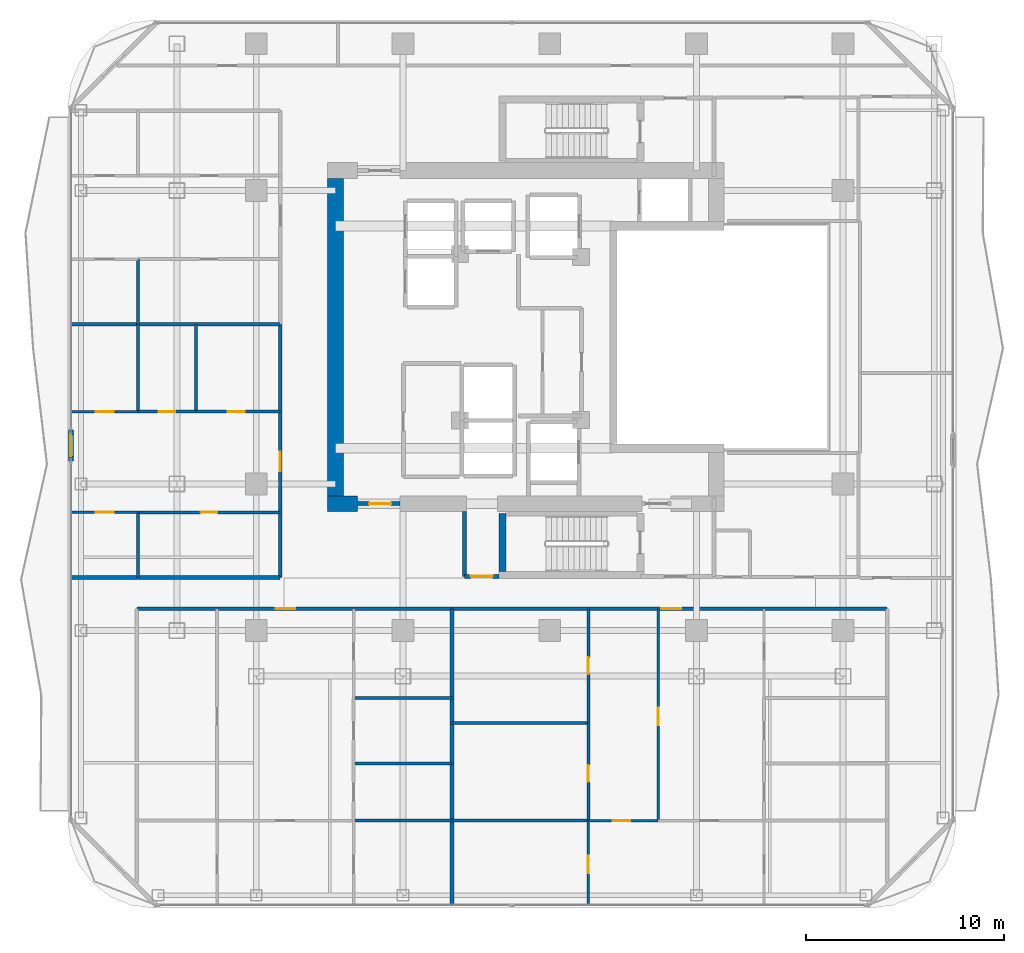
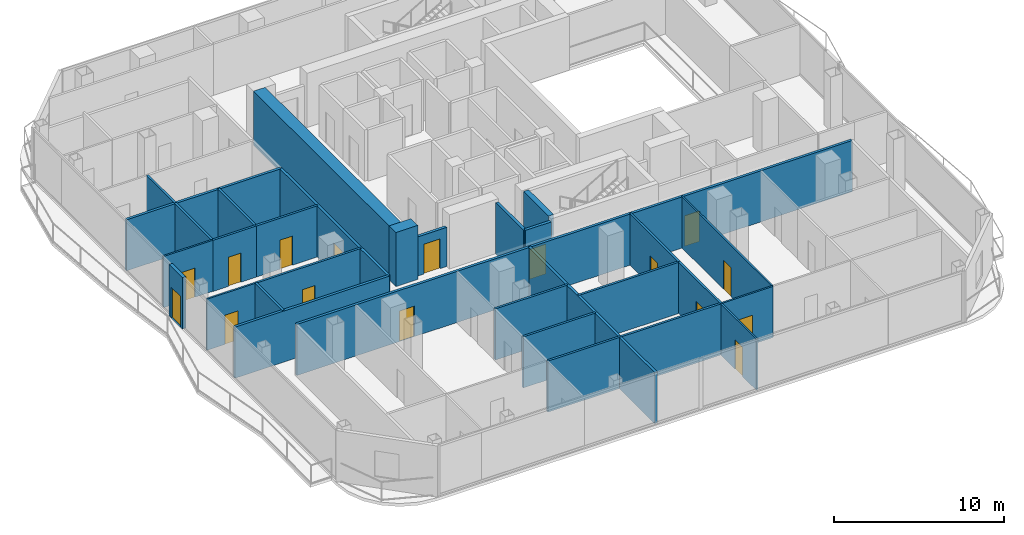
# One storey, part 17 of 23: 32 walls, 16 doors, 16 openings.
"""IFC4 building model written with IfcOpenShell, lengths in metres."""

from ifc_helpers import new_model, si_unit, direction, frame, frame_2d, origin, place, context, subcontext, project, spatial, rectangle, extrude, material, layer, layer_set, type_object, element, fill, save


model = new_model("IFC4")

# Units and contexts
model_context = context("Model", 3, precision=1e-05, world=origin(), true_north=direction((0.0, 1.0)))
body_context = subcontext(model_context, "Body", "Model", "MODEL_VIEW")
ifc_project = project(units=[si_unit("LENGTHUNIT", "METRE"), si_unit("AREAUNIT", "SQUARE_METRE"), si_unit("VOLUMEUNIT", "CUBIC_METRE"), si_unit("PLANEANGLEUNIT", "RADIAN"), si_unit("MASSUNIT", "GRAM", prefix="KILO")], contexts=[model_context])

# Site, building, storey
site_placement = place(None, origin())
site = spatial("IfcSite", under=ifc_project, at=site_placement, CompositionType="ELEMENT")
building_placement = place(site_placement, origin())
building = spatial("IfcBuilding", under=site, at=building_placement, Name="Khorvyn Point Tower", CompositionType="ELEMENT")
storey_placement = place(building_placement, frame((0.0, 0.0, 199.199951171875)))
storey = spatial("IfcBuildingStorey", under=building, at=storey_placement, Name="L49", CompositionType="ELEMENT", Elevation=199.199951171875)

# Wall, opening, door
ifc_material_1 = material(Name="Double acoustic gypsum on twin steel stud", Category="steel")
ifc_layer_1 = layer(ifc_material_1, 0.179931640625)
ifc_layer_set_1 = layer_set([ifc_layer_1], Name="Acoustic Double-Stud Apartment Demising Wall 180")
wall_type_1 = type_object("IfcWallType", Name="Acoustic Double-Stud Apartment Demising Wall 180", PredefinedType="PARTITIONING", material=ifc_layer_set_1)
wall_1_placement = place(storey_placement, frame((-20.820068359375, -13.699951171875, 0.0), z_axis=(0.0, 0.0, 1.0), x_axis=(1.0, 0.0, 0.0)))
wall_1 = element("IfcWall", 1, at=wall_1_placement, inside=storey, type_object=wall_type_1, Name="Wall", PredefinedType="PARTITIONING", context=body_context, shape_type="SweptSolid", body=[
    extrude(rectangle(XDim=15.89306640625, YDim=0.179931640625, at=frame_2d((7.946533203125, 0.0))), origin(), (0.0, 0.0, 1.0), 3.679931640625),
])
opening_1_placement = place(wall_1_placement, frame((6.99658203125, 0.0, 0.0)))
opening_1 = element("IfcOpeningElement", 2, at=opening_1_placement, cuts=wall_1, Name="Opening ID-AP60", PredefinedType="OPENING", context=body_context, shape_type="SweptSolid", body=[
    extrude(rectangle(XDim=1.0, YDim=2.199951171875, at=frame_2d((0.5, 1.10009765625))), frame((0.0, 0.099853515625, 0.0), z_axis=(0.0, -1.0, 0.0), x_axis=(1.0, 0.0, 0.0)), (0.0, 0.0, 1.0), 0.199951171875),
])
ifc_material_2 = material(Name="Engineered hardwood fire-rated leaf", Category="wood")
door_type_1 = type_object("IfcDoorType", Name="Acoustic Solid-Core Timber Apartment Entrance Door 1000x2200", OperationType="NOTDEFINED", PredefinedType="DOOR", material=ifc_material_2)
door_1_placement = place(opening_1_placement, origin())
door_1 = element("IfcDoor", 3, at=door_1_placement, inside=storey, type_object=door_type_1, Name="Door", OperationType="SINGLE_SWING_LEFT", OverallHeight=2.199951171875, OverallWidth=1.0, PredefinedType="DOOR", context=body_context, shape_type="SweptSolid", body=[
    extrude(rectangle(XDim=1.0, YDim=2.199951171875, at=frame_2d((0.5, 1.10009765625))), frame((0.0, 0.02490234375, 0.0), z_axis=(0.0, -1.0, 0.0), x_axis=(1.0, 0.0, 0.0)), (0.0, 0.0, 1.0), 0.050048828125),
])
fill(opening_1, door_1)

wall_2_placement = place(storey_placement, frame((-4.927001953125, -13.699951171875, 0.0), z_axis=(0.0, 0.0, 1.0), x_axis=(1.0, 0.0, 0.0)))
wall_2 = element("IfcWall", 4, at=wall_2_placement, inside=storey, type_object=wall_type_1, Name="Wall", PredefinedType="PARTITIONING", context=body_context, shape_type="SweptSolid", body=[
    extrude(rectangle(XDim=21.947021484375, YDim=0.179931640625, at=frame_2d((10.9736328125, 0.0))), origin(), (0.0, 0.0, 1.0), 3.679931640625),
])
opening_2_placement = place(wall_2_placement, frame((10.563232421875, 0.0, 0.0)))
opening_2 = element("IfcOpeningElement", 5, at=opening_2_placement, cuts=wall_2, Name="Opening ID-AP60", PredefinedType="OPENING", context=body_context, shape_type="SweptSolid", body=[
    extrude(rectangle(XDim=1.0, YDim=2.199951171875, at=frame_2d((0.5, 1.10009765625))), frame((0.0, 0.099853515625, 0.0), z_axis=(0.0, -1.0, 0.0), x_axis=(1.0, 0.0, 0.0)), (0.0, 0.0, 1.0), 0.199951171875),
])
door_2_placement = place(opening_2_placement, origin())
door_2 = element("IfcDoor", 6, at=door_2_placement, inside=storey, type_object=door_type_1, Name="Door", OperationType="SINGLE_SWING_LEFT", OverallHeight=2.199951171875, OverallWidth=1.0, PredefinedType="DOOR", context=body_context, shape_type="SweptSolid", body=[
    extrude(rectangle(XDim=1.0, YDim=2.199951171875, at=frame_2d((0.5, 1.10009765625))), frame((0.0, 0.02490234375, 0.0), z_axis=(0.0, -1.0, 0.0), x_axis=(1.0, 0.0, 0.0)), (0.0, 0.0, 1.0), 0.050048828125),
])
fill(opening_2, door_2)

wall_3_placement = place(storey_placement, frame((-13.60009765625, -12.1201171875, 0.0), z_axis=(0.0, 0.0, 1.0), x_axis=(0.0, 1.0, 0.0)))
wall_3 = element("IfcWall", 7, at=wall_3_placement, inside=storey, type_object=wall_type_1, Name="Wall", PredefinedType="PARTITIONING", context=body_context, shape_type="SweptSolid", body=[
    extrude(rectangle(XDim=12.76416015625, YDim=0.179931640625, at=frame_2d((6.382080078125, 0.0))), origin(), (0.0, 0.0, 1.0), 3.679931640625),
])
opening_3_placement = place(wall_3_placement, frame((5.345703125, 0.0, 0.0)))
opening_3 = element("IfcOpeningElement", 8, at=opening_3_placement, cuts=wall_3, Name="Opening ID-AP60", PredefinedType="OPENING", context=body_context, shape_type="SweptSolid", body=[
    extrude(rectangle(XDim=1.0, YDim=2.199951171875, at=frame_2d((0.5, 1.10009765625))), frame((0.0, 0.099853515625, 0.0), z_axis=(0.0, -1.0, 0.0), x_axis=(1.0, 0.0, 0.0)), (0.0, 0.0, 1.0), 0.199951171875),
])
door_3_placement = place(opening_3_placement, origin())
door_3 = element("IfcDoor", 9, at=door_3_placement, inside=storey, type_object=door_type_1, Name="Door", OperationType="SINGLE_SWING_RIGHT", OverallHeight=2.199951171875, OverallWidth=1.0, PredefinedType="DOOR", context=body_context, shape_type="SweptSolid", body=[
    extrude(rectangle(XDim=1.0, YDim=2.199951171875, at=frame_2d((0.5, 1.10009765625))), frame((0.0, 0.02490234375, 0.0), z_axis=(0.0, -1.0, 0.0), x_axis=(1.0, 0.0, 0.0)), (0.0, 0.0, 1.0), 0.050048828125),
])
fill(opening_3, door_3)

# Walls
wall_4_placement = place(storey_placement, frame((-4.927001953125, -28.6298828125, 0.0), z_axis=(0.0, 0.0, 1.0), x_axis=(0.0, 1.0, 0.0)))
element("IfcWall", 10, at=wall_4_placement, inside=storey, type_object=wall_type_1, Name="Wall", PredefinedType="PARTITIONING", context=body_context, shape_type="SweptSolid", body=[
    extrude(rectangle(XDim=14.929931640625, YDim=0.179931640625, at=frame_2d((7.46484375, 0.0))), origin(), (0.0, 0.0, 1.0), 3.679931640625),
])
for number, where, z_axis, x_axis, name in (
    (11, (-24.1298828125, 0.64404296875, 0.0), (0.0, 0.0, 1.0), (1.0, 0.0, 0.0), "Wall"),
    (12, (-24.1298828125, -12.1201171875, 0.0), (0.0, 0.0, 1.0), (1.0, 0.0, 0.0), "Wall"),
):
    element("IfcWall", number, at=place(storey_placement, frame(where, z_axis=z_axis, x_axis=x_axis)), inside=storey, type_object=wall_type_1, Name=name, PredefinedType="PARTITIONING", context=body_context, shape_type="SweptSolid", body=[
        extrude(rectangle(XDim=10.52978515625, YDim=0.179931640625, at=frame_2d((5.264892578125, 0.0))), origin(), (0.0, 0.0, 1.0), 3.679931640625),
    ])

# Wall, opening, door
ifc_material_3 = material(Name="Pale anodised aluminium rainscreen on steel stud", Category="steel")
ifc_layer_2 = layer(ifc_material_3, 0.239990234375)
ifc_layer_set_2 = layer_set([ifc_layer_2], Name="Anodised Aluminium Insulated Corner Spandrel Wall 240")
wall_type_2 = type_object("IfcWallType", Name="Anodised Aluminium Insulated Corner Spandrel Wall 240", PredefinedType="SOLIDWALL", material=ifc_layer_set_2)
wall_5_placement = place(storey_placement, frame((-24.14990234375, -6.25390625, 0.0), z_axis=(0.0, 0.0, 1.0), x_axis=(0.0, 1.0, 0.0)))
wall_5 = element("IfcWall", 13, at=wall_5_placement, inside=storey, type_object=wall_type_2, Name="L49 West Outdoor Threshold Wall", PredefinedType="SOLIDWALL", context=body_context, shape_type="SweptSolid", body=[
    extrude(rectangle(XDim=1.579833984375, YDim=0.239990234375, at=frame_2d((0.7900390625, 0.0))), origin(), (0.0, 0.0, 1.0), 3.679931640625),
])
opening_4_placement = place(wall_5_placement, frame((0.239990234375, 0.0, 0.0)))
opening_4 = element("IfcOpeningElement", 14, at=opening_4_placement, cuts=wall_5, Name="Opening BD-1122", PredefinedType="OPENING", context=body_context, shape_type="SweptSolid", body=[
    extrude(rectangle(XDim=1.10009765625, YDim=2.199951171875, at=frame_2d((0.550048828125, 1.10009765625))), frame((0.0, 0.1298828125, 0.0), z_axis=(0.0, -1.0, 0.0), x_axis=(1.0, 0.0, 0.0)), (0.0, 0.0, 1.0), 0.260009765625),
])
ifc_material_4 = material(Name="Anodised aluminium 6063-T6 and laminated Low-E glass", Category="aluminium")
door_type_2 = type_object("IfcDoorType", Name="Glazed Balcony and Terrace Threshold Door 1100x2200", OperationType="NOTDEFINED", PredefinedType="DOOR", material=ifc_material_4)
door_4_placement = place(opening_4_placement, origin())
door_4 = element("IfcDoor", 15, at=door_4_placement, inside=storey, type_object=door_type_2, Name="L49 West Glazed Balcony Outdoor Door", OperationType="SINGLE_SWING_RIGHT", OverallHeight=2.199951171875, OverallWidth=1.10009765625, PredefinedType="DOOR", context=body_context, shape_type="SweptSolid", body=[
    extrude(rectangle(XDim=1.10009765625, YDim=2.199951171875, at=frame_2d((0.550048828125, 1.10009765625))), frame((0.0, 0.02490234375, 0.0), z_axis=(0.0, -1.0, 0.0), x_axis=(1.0, 0.0, 0.0)), (0.0, 0.0, 1.0), 0.050048828125),
])
fill(opening_4, door_4)

ifc_material_5 = material(Name="Concrete C40/50", Category="concrete")
ifc_layer_3 = layer(ifc_material_5, 0.199951171875)
ifc_layer_set_3 = layer_set([ifc_layer_3], Name="Concrete C40/50 Fire-Lobby Compartment Wall 200")
wall_type_3 = type_object("IfcWallType", Name="Concrete C40/50 Fire-Lobby Compartment Wall 200", PredefinedType="SOLIDWALL", material=ifc_layer_set_3)
wall_6_placement = place(storey_placement, frame((-9.699951171875, -8.39990234375, 0.0), z_axis=(0.0, 0.0, 1.0), x_axis=(1.0, 0.0, 0.0)))
wall_6 = element("IfcWall", 16, at=wall_6_placement, inside=storey, type_object=wall_type_3, Name="Wall", PredefinedType="SOLIDWALL", context=body_context, shape_type="SweptSolid", body=[
    extrude(rectangle(XDim=2.14990234375, YDim=0.199951171875, at=frame_2d((1.074951171875, 0.0))), origin(), (0.0, 0.0, 1.0), 2.820068359375),
])
opening_5_placement = place(wall_6_placement, frame((0.597900390625, 0.0, 0.0)))
opening_5 = element("IfcOpeningElement", 17, at=opening_5_placement, cuts=wall_6, Name="Opening ID-FL90", PredefinedType="OPENING", context=body_context, shape_type="SweptSolid", body=[
    extrude(rectangle(XDim=1.10009765625, YDim=2.14990234375, at=frame_2d((0.550048828125, 1.074951171875))), frame((0.0, 0.10986328125, 0.0), z_axis=(0.0, -1.0, 0.0), x_axis=(1.0, 0.0, 0.0)), (0.0, 0.0, 1.0), 0.219970703125),
])
ifc_material_6 = material(Name="Galvanised powder-coated steel", Category="steel")
door_type_3 = type_object("IfcDoorType", Name="Fire-Rated Steel Lobby and Stair Door 1100x2150", OperationType="NOTDEFINED", PredefinedType="DOOR", material=ifc_material_6)
door_5_placement = place(opening_5_placement, origin())
door_5 = element("IfcDoor", 18, at=door_5_placement, inside=storey, type_object=door_type_3, Name="Door", OperationType="SINGLE_SWING_RIGHT", OverallHeight=2.14990234375, OverallWidth=1.10009765625, PredefinedType="DOOR", context=body_context, shape_type="SweptSolid", body=[
    extrude(rectangle(XDim=1.10009765625, YDim=2.14990234375, at=frame_2d((0.550048828125, 1.074951171875))), frame((0.0, 0.02490234375, 0.0), z_axis=(0.0, -1.0, 0.0), x_axis=(1.0, 0.0, 0.0)), (0.0, 0.0, 1.0), 0.050048828125),
])
fill(opening_5, door_5)

wall_7_placement = place(storey_placement, frame((-4.300048828125, -12.06005859375, 0.0), z_axis=(0.0, 0.0, 1.0), x_axis=(1.0, 0.0, 0.0)))
wall_7 = element("IfcWall", 19, at=wall_7_placement, inside=storey, type_object=wall_type_3, Name="Wall", PredefinedType="SOLIDWALL", context=body_context, shape_type="SweptSolid", body=[
    extrude(rectangle(XDim=1.75, YDim=0.199951171875, at=frame_2d((0.875, 0.0))), origin(), (0.0, 0.0, 1.0), 3.679931640625),
])
opening_6_placement = place(wall_7_placement, frame((0.324951171875, 0.0, 0.0)))
opening_6 = element("IfcOpeningElement", 20, at=opening_6_placement, cuts=wall_7, Name="Opening ID-FL90", PredefinedType="OPENING", context=body_context, shape_type="SweptSolid", body=[
    extrude(rectangle(XDim=1.10009765625, YDim=2.14990234375, at=frame_2d((0.550048828125, 1.074951171875))), frame((0.0, 0.10986328125, 0.0), z_axis=(0.0, -1.0, 0.0), x_axis=(1.0, 0.0, 0.0)), (0.0, 0.0, 1.0), 0.219970703125),
])
door_6_placement = place(opening_6_placement, origin())
door_6 = element("IfcDoor", 21, at=door_6_placement, inside=storey, type_object=door_type_3, Name="Door", OperationType="SINGLE_SWING_RIGHT", OverallHeight=2.14990234375, OverallWidth=1.10009765625, PredefinedType="DOOR", context=body_context, shape_type="SweptSolid", body=[
    extrude(rectangle(XDim=1.10009765625, YDim=2.14990234375, at=frame_2d((0.550048828125, 1.074951171875))), frame((0.0, 0.02490234375, 0.0), z_axis=(0.0, -1.0, 0.0), x_axis=(1.0, 0.0, 0.0)), (0.0, 0.0, 1.0), 0.050048828125),
])
fill(opening_6, door_6)

# Walls
wall_8_placement = place(storey_placement, frame((-4.300048828125, -12.06005859375, 0.0), z_axis=(0.0, 0.0, 1.0), x_axis=(0.0, 1.0, 0.0)))
element("IfcWall", 22, at=wall_8_placement, inside=storey, type_object=wall_type_3, Name="Wall", PredefinedType="SOLIDWALL", context=body_context, shape_type="SweptSolid", body=[
    extrude(rectangle(XDim=3.260009765625, YDim=0.199951171875, at=frame_2d((1.6298828125, 0.0))), origin(), (0.0, 0.0, 1.0), 3.679931640625),
])
ifc_layer_4 = layer(ifc_material_5, 0.35009765625)
ifc_layer_set_4 = layer_set([ifc_layer_4], Name="Concrete C40/50 Stair Shaft Structural Wall 350")
wall_type_4 = type_object("IfcWallType", Name="Concrete C40/50 Stair Shaft Structural Wall 350", PredefinedType="SHEAR", material=ifc_layer_set_4)
wall_9_placement = place(storey_placement, frame((-2.3798828125, -11.824951171875, 0.0), z_axis=(0.0, 0.0, 1.0), x_axis=(0.0, 1.0, 0.0)))
element("IfcWall", 23, at=wall_9_placement, inside=storey, type_object=wall_type_4, Name="L49 ST-01 West Shaft Wall", PredefinedType="SHEAR", context=body_context, shape_type="SweptSolid", body=[
    extrude(rectangle(XDim=2.925048828125, YDim=0.35009765625, at=frame_2d((1.46240234375, 0.0))), origin(), (0.0, 0.0, 1.0), 3.900146484375),
])
ifc_material_7 = material(Name="Concrete C45/55", Category="concrete")
ifc_layer_5 = layer(ifc_material_7, 0.800048828125)
ifc_layer_set_5 = layer_set([ifc_layer_5], Name="Concrete C45/55 Core Shear Wall 800")
wall_type_5 = type_object("IfcWallType", Name="Concrete C45/55 Core Shear Wall 800", PredefinedType="SHEAR", material=ifc_layer_set_5)
wall_10_placement = place(storey_placement, frame((-11.199951171875, -8.39990234375, 0.0), z_axis=(0.0, 0.0, 1.0), x_axis=(1.0, 0.0, 0.0)))
element("IfcWall", 24, at=wall_10_placement, inside=storey, type_object=wall_type_5, Name="Wall", PredefinedType="SHEAR", context=body_context, shape_type="SweptSolid", body=[
    extrude(rectangle(XDim=1.5, YDim=0.800048828125, at=frame_2d((0.75, 0.0))), origin(), (0.0, 0.0, 1.0), 3.900146484375),
])
wall_11_placement = place(storey_placement, frame((-10.800048828125, -8.0, 0.0), z_axis=(0.0, 0.0, 1.0), x_axis=(0.0, 1.0, 0.0)))
element("IfcWall", 25, at=wall_11_placement, inside=storey, type_object=wall_type_5, Name="Wall", PredefinedType="SHEAR", context=body_context, shape_type="SweptSolid", body=[
    extrude(rectangle(XDim=16.0, YDim=0.800048828125, at=frame_2d((8.0, 0.0))), origin(), (0.0, 0.0, 1.0), 3.900146484375),
])

# Wall, opening, door
ifc_material_8 = material(Name="Gypsum plasterboard on steel stud", Category="steel")
ifc_layer_6 = layer(ifc_material_8, 0.1201171875)
ifc_layer_set_6 = layer_set([ifc_layer_6], Name="Gypsum Acoustic Stud Room Partition Wall 120")
wall_type_6 = type_object("IfcWallType", Name="Gypsum Acoustic Stud Room Partition Wall 120", PredefinedType="PARTITIONING", material=ifc_layer_set_6)
wall_12_placement = place(storey_placement, frame((1.955078125, -24.389892578125, 0.0), z_axis=(0.0, 0.0, 1.0), x_axis=(1.0, 0.0, 0.0)))
wall_12 = element("IfcWall", 26, at=wall_12_placement, inside=storey, type_object=wall_type_6, Name="Wall", PredefinedType="PARTITIONING", context=body_context, shape_type="SweptSolid", body=[
    extrude(rectangle(XDim=3.516845703125, YDim=0.1201171875, at=frame_2d((1.75830078125, 0.0))), origin(), (0.0, 0.0, 1.0), 3.679931640625),
])
opening_7_placement = place(wall_12_placement, frame((1.22021484375, 0.0, 0.0)))
opening_7 = element("IfcOpeningElement", 27, at=opening_7_placement, cuts=wall_12, Name="Opening ID-RM90", PredefinedType="OPENING", context=body_context, shape_type="SweptSolid", body=[
    extrude(rectangle(XDim=0.89990234375, YDim=2.10009765625, at=frame_2d((0.449951171875, 1.050048828125))), frame((0.0, 0.070068359375, 0.0), z_axis=(0.0, -1.0, 0.0), x_axis=(1.0, 0.0, 0.0)), (0.0, 0.0, 1.0), 0.14013671875),
])
ifc_material_9 = material(Name="Engineered oak veneer timber", Category="wood")
door_type_4 = type_object("IfcDoorType", Name="Flush Engineered Timber Room Door 900x2100", OperationType="NOTDEFINED", PredefinedType="DOOR", material=ifc_material_9)
door_7_placement = place(opening_7_placement, origin())
door_7 = element("IfcDoor", 28, at=door_7_placement, inside=storey, type_object=door_type_4, Name="Door", OperationType="SINGLE_SWING_RIGHT", OverallHeight=2.10009765625, OverallWidth=0.89990234375, PredefinedType="DOOR", context=body_context, shape_type="SweptSolid", body=[
    extrude(rectangle(XDim=0.89990234375, YDim=2.10009765625, at=frame_2d((0.449951171875, 1.050048828125))), frame((0.0, 0.02490234375, 0.0), z_axis=(0.0, -1.0, 0.0), x_axis=(1.0, 0.0, 0.0)), (0.0, 0.0, 1.0), 0.050048828125),
])
fill(opening_7, door_7)

wall_13_placement = place(storey_placement, frame((5.471923828125, -24.389892578125, 0.0), z_axis=(0.0, 0.0, 1.0), x_axis=(0.0, 1.0, 0.0)))
wall_13 = element("IfcWall", 29, at=wall_13_placement, inside=storey, type_object=wall_type_6, Name="Wall", PredefinedType="PARTITIONING", context=body_context, shape_type="SweptSolid", body=[
    extrude(rectangle(XDim=10.68994140625, YDim=0.1201171875, at=frame_2d((5.344970703125, 0.0))), origin(), (0.0, 0.0, 1.0), 3.679931640625),
])
opening_8_placement = place(wall_13_placement, frame((4.8056640625, 0.0, 0.0)))
opening_8 = element("IfcOpeningElement", 30, at=opening_8_placement, cuts=wall_13, Name="Opening ID-RM90", PredefinedType="OPENING", context=body_context, shape_type="SweptSolid", body=[
    extrude(rectangle(XDim=0.89990234375, YDim=2.10009765625, at=frame_2d((0.449951171875, 1.050048828125))), frame((0.0, 0.070068359375, 0.0), z_axis=(0.0, -1.0, 0.0), x_axis=(1.0, 0.0, 0.0)), (0.0, 0.0, 1.0), 0.14013671875),
])
door_8_placement = place(opening_8_placement, origin())
door_8 = element("IfcDoor", 31, at=door_8_placement, inside=storey, type_object=door_type_4, Name="Door", OperationType="SINGLE_SWING_RIGHT", OverallHeight=2.10009765625, OverallWidth=0.89990234375, PredefinedType="DOOR", context=body_context, shape_type="SweptSolid", body=[
    extrude(rectangle(XDim=0.89990234375, YDim=2.10009765625, at=frame_2d((0.449951171875, 1.050048828125))), frame((0.0, 0.02490234375, 0.0), z_axis=(0.0, -1.0, 0.0), x_axis=(1.0, 0.0, 0.0)), (0.0, 0.0, 1.0), 0.050048828125),
])
fill(opening_8, door_8)

wall_14_placement = place(storey_placement, frame((1.955078125, -28.6298828125, 0.0), z_axis=(0.0, 0.0, 1.0), x_axis=(0.0, 1.0, 0.0)))
wall_14 = element("IfcWall", 32, at=wall_14_placement, inside=storey, type_object=wall_type_6, Name="Wall", PredefinedType="PARTITIONING", context=body_context, shape_type="SweptSolid", body=[
    extrude(rectangle(XDim=4.239990234375, YDim=0.1201171875, at=frame_2d((2.1201171875, 0.0))), origin(), (0.0, 0.0, 1.0), 3.679931640625),
])
opening_9_placement = place(wall_14_placement, frame((1.581298828125, 0.0, 0.0)))
opening_9 = element("IfcOpeningElement", 33, at=opening_9_placement, cuts=wall_14, Name="Opening ID-RM90", PredefinedType="OPENING", context=body_context, shape_type="SweptSolid", body=[
    extrude(rectangle(XDim=0.89990234375, YDim=2.10009765625, at=frame_2d((0.449951171875, 1.050048828125))), frame((0.0, 0.070068359375, 0.0), z_axis=(0.0, -1.0, 0.0), x_axis=(1.0, 0.0, 0.0)), (0.0, 0.0, 1.0), 0.14013671875),
])
door_9_placement = place(opening_9_placement, origin())
door_9 = element("IfcDoor", 34, at=door_9_placement, inside=storey, type_object=door_type_4, Name="Door", OperationType="SINGLE_SWING_LEFT", OverallHeight=2.10009765625, OverallWidth=0.89990234375, PredefinedType="DOOR", context=body_context, shape_type="SweptSolid", body=[
    extrude(rectangle(XDim=0.89990234375, YDim=2.10009765625, at=frame_2d((0.449951171875, 1.050048828125))), frame((0.0, 0.02490234375, 0.0), z_axis=(0.0, -1.0, 0.0), x_axis=(1.0, 0.0, 0.0)), (0.0, 0.0, 1.0), 0.050048828125),
])
fill(opening_9, door_9)

wall_15_placement = place(storey_placement, frame((-24.1298828125, -8.8359375, 0.0), z_axis=(0.0, 0.0, 1.0), x_axis=(1.0, 0.0, 0.0)))
wall_15 = element("IfcWall", 35, at=wall_15_placement, inside=storey, type_object=wall_type_6, Name="Wall", PredefinedType="PARTITIONING", context=body_context, shape_type="SweptSolid", body=[
    extrude(rectangle(XDim=3.36083984375, YDim=0.1201171875, at=frame_2d((1.680419921875, 0.0))), origin(), (0.0, 0.0, 1.0), 3.679931640625),
])
opening_10_placement = place(wall_15_placement, frame((1.23046875, 0.0, 0.0)))
opening_10 = element("IfcOpeningElement", 36, at=opening_10_placement, cuts=wall_15, Name="Opening ID-RM90", PredefinedType="OPENING", context=body_context, shape_type="SweptSolid", body=[
    extrude(rectangle(XDim=0.89990234375, YDim=2.10009765625, at=frame_2d((0.449951171875, 1.050048828125))), frame((0.0, 0.070068359375, 0.0), z_axis=(0.0, -1.0, 0.0), x_axis=(1.0, 0.0, 0.0)), (0.0, 0.0, 1.0), 0.14013671875),
])
door_10_placement = place(opening_10_placement, origin())
door_10 = element("IfcDoor", 37, at=door_10_placement, inside=storey, type_object=door_type_4, Name="Door", OperationType="SINGLE_SWING_RIGHT", OverallHeight=2.10009765625, OverallWidth=0.89990234375, PredefinedType="DOOR", context=body_context, shape_type="SweptSolid", body=[
    extrude(rectangle(XDim=0.89990234375, YDim=2.10009765625, at=frame_2d((0.449951171875, 1.050048828125))), frame((0.0, 0.02490234375, 0.0), z_axis=(0.0, -1.0, 0.0), x_axis=(1.0, 0.0, 0.0)), (0.0, 0.0, 1.0), 0.050048828125),
])
fill(opening_10, door_10)

wall_16_placement = place(storey_placement, frame((-24.1298828125, -3.7529296875, 0.0), z_axis=(0.0, 0.0, 1.0), x_axis=(1.0, 0.0, 0.0)))
wall_16 = element("IfcWall", 38, at=wall_16_placement, inside=storey, type_object=wall_type_6, Name="Wall", PredefinedType="PARTITIONING", context=body_context, shape_type="SweptSolid", body=[
    extrude(rectangle(XDim=3.36083984375, YDim=0.1201171875, at=frame_2d((1.680419921875, 0.0))), origin(), (0.0, 0.0, 1.0), 3.679931640625),
])
opening_11_placement = place(wall_16_placement, frame((1.23046875, 0.0, 0.0)))
opening_11 = element("IfcOpeningElement", 39, at=opening_11_placement, cuts=wall_16, Name="Opening ID-RM90", PredefinedType="OPENING", context=body_context, shape_type="SweptSolid", body=[
    extrude(rectangle(XDim=0.89990234375, YDim=2.10009765625, at=frame_2d((0.449951171875, 1.050048828125))), frame((0.0, 0.070068359375, 0.0), z_axis=(0.0, -1.0, 0.0), x_axis=(1.0, 0.0, 0.0)), (0.0, 0.0, 1.0), 0.14013671875),
])
door_11_placement = place(opening_11_placement, origin())
door_11 = element("IfcDoor", 40, at=door_11_placement, inside=storey, type_object=door_type_4, Name="Door", OperationType="SINGLE_SWING_LEFT", OverallHeight=2.10009765625, OverallWidth=0.89990234375, PredefinedType="DOOR", context=body_context, shape_type="SweptSolid", body=[
    extrude(rectangle(XDim=0.89990234375, YDim=2.10009765625, at=frame_2d((0.449951171875, 1.050048828125))), frame((0.0, 0.02490234375, 0.0), z_axis=(0.0, -1.0, 0.0), x_axis=(1.0, 0.0, 0.0)), (0.0, 0.0, 1.0), 0.050048828125),
])
fill(opening_11, door_11)

ifc_material_10 = material(Name="Moisture-resistant gypsum and cement board", Category="gypsum")
ifc_layer_7 = layer(ifc_material_10, 0.14990234375)
ifc_layer_set_7 = layer_set([ifc_layer_7], Name="Moisture-Resistant Wet-Room Partition Wall 150")
wall_type_7 = type_object("IfcWallType", Name="Moisture-Resistant Wet-Room Partition Wall 150", PredefinedType="PARTITIONING", material=ifc_layer_set_7)
wall_17_placement = place(storey_placement, frame((1.955078125, -24.389892578125, 0.0), z_axis=(0.0, 0.0, 1.0), x_axis=(0.0, 1.0, 0.0)))
wall_17 = element("IfcWall", 41, at=wall_17_placement, inside=storey, type_object=wall_type_7, Name="Wall", PredefinedType="PARTITIONING", context=body_context, shape_type="SweptSolid", body=[
    extrude(rectangle(XDim=4.93994140625, YDim=0.14990234375, at=frame_2d((2.469970703125, 0.0))), origin(), (0.0, 0.0, 1.0), 3.679931640625),
])
opening_12_placement = place(wall_17_placement, frame((1.955078125, 0.0, 0.0)))
opening_12 = element("IfcOpeningElement", 42, at=opening_12_placement, cuts=wall_17, Name="Opening ID-WC85", PredefinedType="OPENING", context=body_context, shape_type="SweptSolid", body=[
    extrude(rectangle(XDim=0.85009765625, YDim=2.10009765625, at=frame_2d((0.425048828125, 1.050048828125))), frame((0.0, 0.0849609375, 0.0), z_axis=(0.0, -1.0, 0.0), x_axis=(1.0, 0.0, 0.0)), (0.0, 0.0, 1.0), 0.169921875),
])
ifc_material_11 = material(Name="High-pressure laminate on moisture-resistant core", Category="wood")
door_type_5 = type_object("IfcDoorType", Name="Moisture-Resistant Accessible Washroom Door 850x2100", OperationType="NOTDEFINED", PredefinedType="DOOR", material=ifc_material_11)
door_12_placement = place(opening_12_placement, origin())
door_12 = element("IfcDoor", 43, at=door_12_placement, inside=storey, type_object=door_type_5, Name="Door", OperationType="SINGLE_SWING_LEFT", OverallHeight=2.10009765625, OverallWidth=0.85009765625, PredefinedType="DOOR", context=body_context, shape_type="SweptSolid", body=[
    extrude(rectangle(XDim=0.85009765625, YDim=2.10009765625, at=frame_2d((0.425048828125, 1.050048828125))), frame((0.0, 0.02490234375, 0.0), z_axis=(0.0, -1.0, 0.0), x_axis=(1.0, 0.0, 0.0)), (0.0, 0.0, 1.0), 0.050048828125),
])
fill(opening_12, door_12)

wall_18_placement = place(storey_placement, frame((1.955078125, -19.449951171875, 0.0), z_axis=(0.0, 0.0, 1.0), x_axis=(0.0, 1.0, 0.0)))
wall_18 = element("IfcWall", 44, at=wall_18_placement, inside=storey, type_object=wall_type_7, Name="Wall", PredefinedType="PARTITIONING", context=body_context, shape_type="SweptSolid", body=[
    extrude(rectangle(XDim=5.75, YDim=0.14990234375, at=frame_2d((2.875, 0.0))), origin(), (0.0, 0.0, 1.0), 3.679931640625),
])
opening_13_placement = place(wall_18_placement, frame((2.449951171875, 0.0, 0.0)))
opening_13 = element("IfcOpeningElement", 45, at=opening_13_placement, cuts=wall_18, Name="Opening ID-WC85", PredefinedType="OPENING", context=body_context, shape_type="SweptSolid", body=[
    extrude(rectangle(XDim=0.85009765625, YDim=2.10009765625, at=frame_2d((0.425048828125, 1.050048828125))), frame((0.0, 0.0849609375, 0.0), z_axis=(0.0, -1.0, 0.0), x_axis=(1.0, 0.0, 0.0)), (0.0, 0.0, 1.0), 0.169921875),
])
door_13_placement = place(opening_13_placement, origin())
door_13 = element("IfcDoor", 46, at=door_13_placement, inside=storey, type_object=door_type_5, Name="Door", OperationType="SINGLE_SWING_RIGHT", OverallHeight=2.10009765625, OverallWidth=0.85009765625, PredefinedType="DOOR", context=body_context, shape_type="SweptSolid", body=[
    extrude(rectangle(XDim=0.85009765625, YDim=2.10009765625, at=frame_2d((0.425048828125, 1.050048828125))), frame((0.0, 0.02490234375, 0.0), z_axis=(0.0, -1.0, 0.0), x_axis=(1.0, 0.0, 0.0)), (0.0, 0.0, 1.0), 0.050048828125),
])
fill(opening_13, door_13)

wall_19_placement = place(storey_placement, frame((-20.76904296875, -3.7529296875, 0.0), z_axis=(0.0, 0.0, 1.0), x_axis=(1.0, 0.0, 0.0)))
wall_19 = element("IfcWall", 47, at=wall_19_placement, inside=storey, type_object=wall_type_7, Name="Wall", PredefinedType="PARTITIONING", context=body_context, shape_type="SweptSolid", body=[
    extrude(rectangle(XDim=2.93896484375, YDim=0.14990234375, at=frame_2d((1.469482421875, 0.0))), origin(), (0.0, 0.0, 1.0), 3.679931640625),
])
opening_14_placement = place(wall_19_placement, frame((1.04443359375, 0.0, 0.0)))
opening_14 = element("IfcOpeningElement", 48, at=opening_14_placement, cuts=wall_19, Name="Opening ID-WC85", PredefinedType="OPENING", context=body_context, shape_type="SweptSolid", body=[
    extrude(rectangle(XDim=0.85009765625, YDim=2.10009765625, at=frame_2d((0.425048828125, 1.050048828125))), frame((0.0, 0.0849609375, 0.0), z_axis=(0.0, -1.0, 0.0), x_axis=(1.0, 0.0, 0.0)), (0.0, 0.0, 1.0), 0.169921875),
])
door_14_placement = place(opening_14_placement, origin())
door_14 = element("IfcDoor", 49, at=door_14_placement, inside=storey, type_object=door_type_5, Name="Door", OperationType="SINGLE_SWING_LEFT", OverallHeight=2.10009765625, OverallWidth=0.85009765625, PredefinedType="DOOR", context=body_context, shape_type="SweptSolid", body=[
    extrude(rectangle(XDim=0.85009765625, YDim=2.10009765625, at=frame_2d((0.425048828125, 1.050048828125))), frame((0.0, 0.02490234375, 0.0), z_axis=(0.0, -1.0, 0.0), x_axis=(1.0, 0.0, 0.0)), (0.0, 0.0, 1.0), 0.050048828125),
])
fill(opening_14, door_14)

wall_20_placement = place(storey_placement, frame((-17.830078125, -3.7529296875, 0.0), z_axis=(0.0, 0.0, 1.0), x_axis=(1.0, 0.0, 0.0)))
wall_20 = element("IfcWall", 50, at=wall_20_placement, inside=storey, type_object=wall_type_7, Name="Wall", PredefinedType="PARTITIONING", context=body_context, shape_type="SweptSolid", body=[
    extrude(rectangle(XDim=4.22998046875, YDim=0.14990234375, at=frame_2d((2.114990234375, 0.0))), origin(), (0.0, 0.0, 1.0), 3.679931640625),
])
opening_15_placement = place(wall_20_placement, frame((1.60009765625, 0.0, 0.0)))
opening_15 = element("IfcOpeningElement", 51, at=opening_15_placement, cuts=wall_20, Name="Opening ID-WC85", PredefinedType="OPENING", context=body_context, shape_type="SweptSolid", body=[
    extrude(rectangle(XDim=0.85009765625, YDim=2.10009765625, at=frame_2d((0.425048828125, 1.050048828125))), frame((0.0, 0.0849609375, 0.0), z_axis=(0.0, -1.0, 0.0), x_axis=(1.0, 0.0, 0.0)), (0.0, 0.0, 1.0), 0.169921875),
])
door_15_placement = place(opening_15_placement, origin())
door_15 = element("IfcDoor", 52, at=door_15_placement, inside=storey, type_object=door_type_5, Name="Door", OperationType="SINGLE_SWING_RIGHT", OverallHeight=2.10009765625, OverallWidth=0.85009765625, PredefinedType="DOOR", context=body_context, shape_type="SweptSolid", body=[
    extrude(rectangle(XDim=0.85009765625, YDim=2.10009765625, at=frame_2d((0.425048828125, 1.050048828125))), frame((0.0, 0.02490234375, 0.0), z_axis=(0.0, -1.0, 0.0), x_axis=(1.0, 0.0, 0.0)), (0.0, 0.0, 1.0), 0.050048828125),
])
fill(opening_15, door_15)

wall_21_placement = place(storey_placement, frame((-20.76904296875, -8.8359375, 0.0), z_axis=(0.0, 0.0, 1.0), x_axis=(1.0, 0.0, 0.0)))
wall_21 = element("IfcWall", 53, at=wall_21_placement, inside=storey, type_object=wall_type_7, Name="Wall", PredefinedType="PARTITIONING", context=body_context, shape_type="SweptSolid", body=[
    extrude(rectangle(XDim=7.1689453125, YDim=0.14990234375, at=frame_2d((3.58447265625, 0.0))), origin(), (0.0, 0.0, 1.0), 3.679931640625),
])
opening_16_placement = place(wall_21_placement, frame((3.159423828125, 0.0, 0.0)))
opening_16 = element("IfcOpeningElement", 54, at=opening_16_placement, cuts=wall_21, Name="Opening ID-WC85", PredefinedType="OPENING", context=body_context, shape_type="SweptSolid", body=[
    extrude(rectangle(XDim=0.85009765625, YDim=2.10009765625, at=frame_2d((0.425048828125, 1.050048828125))), frame((0.0, 0.0849609375, 0.0), z_axis=(0.0, -1.0, 0.0), x_axis=(1.0, 0.0, 0.0)), (0.0, 0.0, 1.0), 0.169921875),
])
door_16_placement = place(opening_16_placement, origin())
door_16 = element("IfcDoor", 55, at=door_16_placement, inside=storey, type_object=door_type_5, Name="Door", OperationType="SINGLE_SWING_LEFT", OverallHeight=2.10009765625, OverallWidth=0.85009765625, PredefinedType="DOOR", context=body_context, shape_type="SweptSolid", body=[
    extrude(rectangle(XDim=0.85009765625, YDim=2.10009765625, at=frame_2d((0.425048828125, 1.050048828125))), frame((0.0, 0.02490234375, 0.0), z_axis=(0.0, -1.0, 0.0), x_axis=(1.0, 0.0, 0.0)), (0.0, 0.0, 1.0), 0.050048828125),
])
fill(opening_16, door_16)

# Walls
for number, where, z_axis, x_axis, name in (
    (56, (-9.885009765625, -21.50390625, 0.0), (0.0, 0.0, 1.0), (1.0, 0.0, 0.0), "Wall"),
    (57, (-9.885009765625, -18.18994140625, 0.0), (0.0, 0.0, 1.0), (1.0, 0.0, 0.0), "Wall"),
    (58, (-9.885009765625, -24.389892578125, 0.0), (0.0, 0.0, 1.0), (1.0, 0.0, 0.0), "Wall"),
):
    element("IfcWall", number, at=place(storey_placement, frame(where, z_axis=z_axis, x_axis=x_axis)), inside=storey, type_object=wall_type_7, Name=name, PredefinedType="PARTITIONING", context=body_context, shape_type="SweptSolid", body=[
        extrude(rectangle(XDim=4.9580078125, YDim=0.14990234375, at=frame_2d((2.47900390625, 0.0))), origin(), (0.0, 0.0, 1.0), 3.679931640625),
    ])
for number, where, z_axis, x_axis, name in (
    (59, (-4.927001953125, -19.449951171875, 0.0), (0.0, 0.0, 1.0), (1.0, 0.0, 0.0), "Wall"),
    (60, (-4.927001953125, -24.389892578125, 0.0), (0.0, 0.0, 1.0), (1.0, 0.0, 0.0), "Wall"),
):
    element("IfcWall", number, at=place(storey_placement, frame(where, z_axis=z_axis, x_axis=x_axis)), inside=storey, type_object=wall_type_7, Name=name, PredefinedType="PARTITIONING", context=body_context, shape_type="SweptSolid", body=[
        extrude(rectangle(XDim=6.882080078125, YDim=0.14990234375, at=frame_2d((3.44091796875, 0.0))), origin(), (0.0, 0.0, 1.0), 3.679931640625),
    ])
wall_22_placement = place(storey_placement, frame((-17.830078125, -3.7529296875, 0.0), z_axis=(0.0, 0.0, 1.0), x_axis=(0.0, 1.0, 0.0)))
element("IfcWall", 61, at=wall_22_placement, inside=storey, type_object=wall_type_7, Name="Wall", PredefinedType="PARTITIONING", context=body_context, shape_type="SweptSolid", body=[
    extrude(rectangle(XDim=4.39697265625, YDim=0.14990234375, at=frame_2d((2.198486328125, 0.0))), origin(), (0.0, 0.0, 1.0), 3.679931640625),
])
wall_23_placement = place(storey_placement, frame((-20.76904296875, -12.1201171875, 0.0), z_axis=(0.0, 0.0, 1.0), x_axis=(0.0, 1.0, 0.0)))
element("IfcWall", 62, at=wall_23_placement, inside=storey, type_object=wall_type_7, Name="Wall", PredefinedType="PARTITIONING", context=body_context, shape_type="SweptSolid", body=[
    extrude(rectangle(XDim=3.2841796875, YDim=0.14990234375, at=frame_2d((1.64208984375, 0.0))), origin(), (0.0, 0.0, 1.0), 3.679931640625),
])
wall_24_placement = place(storey_placement, frame((-20.76904296875, -3.7529296875, 0.0), z_axis=(0.0, 0.0, 1.0), x_axis=(0.0, 1.0, 0.0)))
element("IfcWall", 63, at=wall_24_placement, inside=storey, type_object=wall_type_7, Name="Wall", PredefinedType="PARTITIONING", context=body_context, shape_type="SweptSolid", body=[
    extrude(rectangle(XDim=4.39697265625, YDim=0.14990234375, at=frame_2d((2.198486328125, 0.0))), origin(), (0.0, 0.0, 1.0), 3.679931640625),
])
wall_25_placement = place(storey_placement, frame((-20.76904296875, 0.64404296875, 0.0), z_axis=(0.0, 0.0, 1.0), x_axis=(0.0, 1.0, 0.0)))
element("IfcWall", 64, at=wall_25_placement, inside=storey, type_object=wall_type_7, Name="Wall", PredefinedType="PARTITIONING", context=body_context, shape_type="SweptSolid", body=[
    extrude(rectangle(XDim=3.294921875, YDim=0.14990234375, at=frame_2d((1.6474609375, 0.0))), origin(), (0.0, 0.0, 1.0), 3.679931640625),
])

save(model, "model.ifc")
